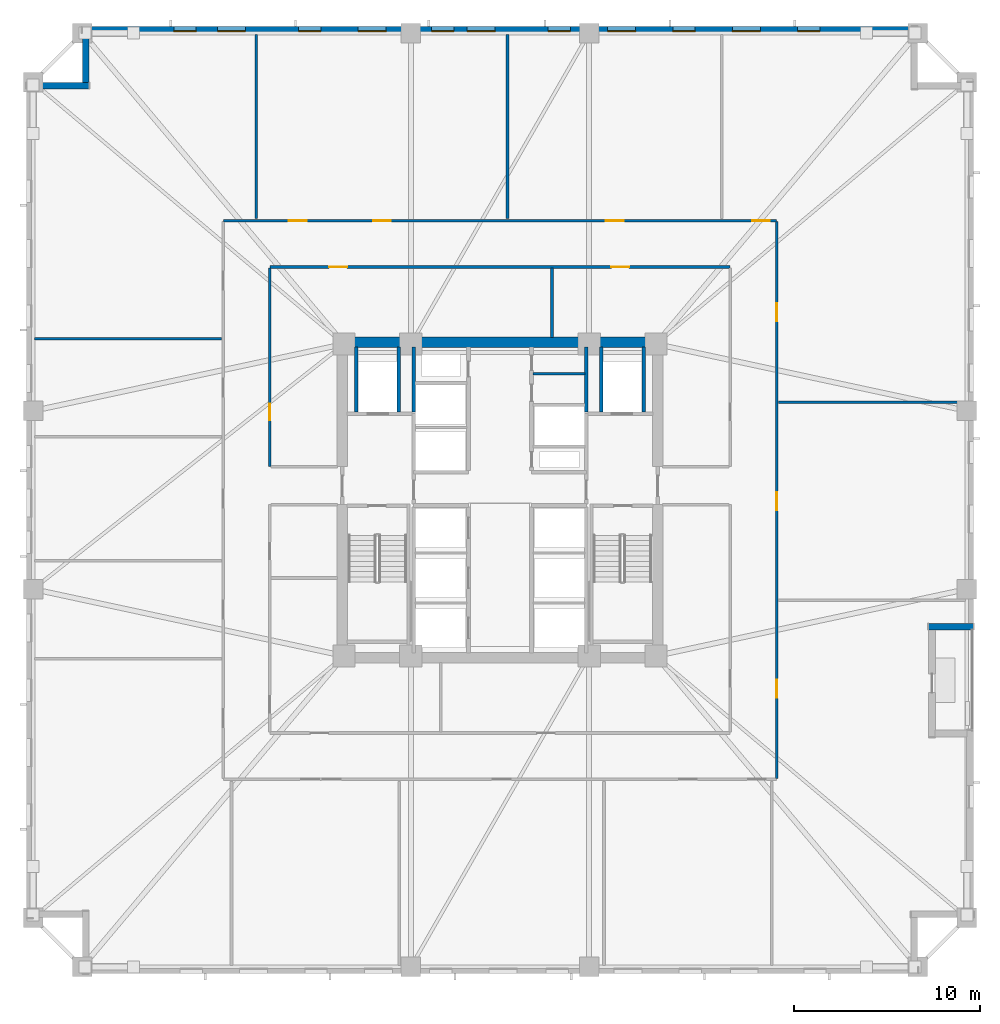
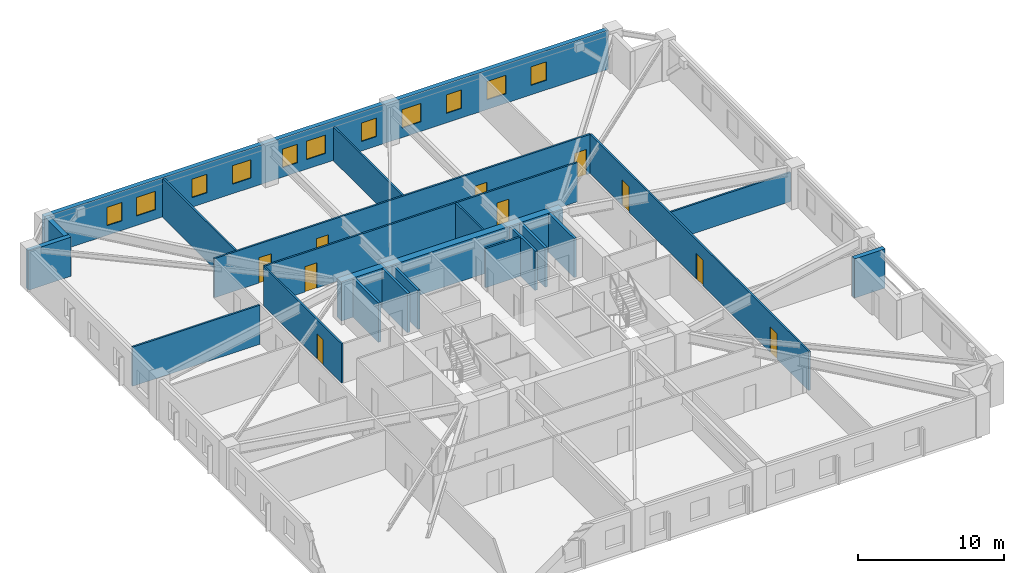
# One storey, part 5 of 11: 21 walls, 11 windows, 10 doors, 21 openings.
"""IFC4 building model written with IfcOpenShell, lengths in metres."""

from ifc_helpers import new_model, si_unit, direction, frame, frame_2d, origin, place, context, subcontext, project, spatial, rectangle, extrude, material, layer, layer_set, type_object, element, fill, save


model = new_model("IFC4")

# Units and contexts
model_context = context("Model", 3, precision=1e-05, world=origin(), true_north=direction((0.0, 1.0)))
body_context = subcontext(model_context, "Body", "Model", "MODEL_VIEW")
ifc_project = project(units=[si_unit("LENGTHUNIT", "METRE"), si_unit("AREAUNIT", "SQUARE_METRE"), si_unit("VOLUMEUNIT", "CUBIC_METRE"), si_unit("PLANEANGLEUNIT", "RADIAN"), si_unit("MASSUNIT", "GRAM", prefix="KILO")], contexts=[model_context])

# Site, building, storey
site_placement = place(None, origin())
site = spatial("IfcSite", under=ifc_project, at=site_placement, CompositionType="ELEMENT")
building_placement = place(site_placement, origin())
building = spatial("IfcBuilding", under=site, at=building_placement, Name="Cairnveth Concourse Tower", CompositionType="ELEMENT")
storey_placement = place(building_placement, frame((0.0, 0.0, 55.0)))
storey = spatial("IfcBuildingStorey", under=building, at=storey_placement, Name="L14", CompositionType="ELEMENT", Elevation=55.0)

# Walls
ifc_material_1 = material(Name="Gypsum Plasterboard Partition", Category="gypsum")
ifc_layer_1 = layer(ifc_material_1, 0.159912109375)
ifc_layer_set_1 = layer_set([ifc_layer_1], Name="Gypsum Plasterboard Partition")
wall_type_1 = type_object("IfcWallType", Name="ACOUSTIC PARTY WALL 180", PredefinedType="PARTITIONING", material=ifc_layer_set_1)
wall_1_placement = place(storey_placement, frame((53.784912109375, 45.800048828125, 0.0), z_axis=(0.0, 0.0, 1.0), x_axis=(1.0, 0.0, 0.0)))
element("IfcWall", 1, at=wall_1_placement, inside=storey, type_object=wall_type_1, Name="Interior Wall IW-L14-037", PredefinedType="PARTITIONING", context=body_context, shape_type="SweptSolid", body=[
    extrude(rectangle(XDim=2.7900390625, YDim=0.159912109375, at=frame_2d((1.39501953125, 0.0))), origin(), (0.0, 0.0, 1.0), 3.280029296875),
])
ifc_material_2 = material(Name="Concrete N80 (80 MPa)", Category="concrete")
ifc_layer_2 = layer(ifc_material_2, 0.550048828125)
ifc_layer_set_2 = layer_set([ifc_layer_2], Name="Concrete N80 (80 MPa)")
wall_type_2 = type_object("IfcWallType", Name="CORE SHEAR WALL 550", PredefinedType="SHEAR", material=ifc_layer_set_2)
wall_2_placement = place(storey_placement, frame((43.22509765625, 47.5, 0.0), z_axis=(0.0, 0.0, 1.0), x_axis=(1.0, 0.0, 0.0)))
element("IfcWall", 2, at=wall_2_placement, inside=storey, type_object=wall_type_2, Name="Core North Shear Wall L14", PredefinedType="SHEAR", context=body_context, shape_type="SweptSolid", body=[
    extrude(rectangle(XDim=17.5498046875, YDim=0.550048828125, at=frame_2d((8.77490234375, 0.0))), origin(), (0.0, 0.0, 1.0), 3.280029296875),
])
ifc_material_3 = material(Name="Concrete N50 (50 MPa)", Category="concrete")
ifc_layer_3 = layer(ifc_material_3, 0.179931640625)
ifc_layer_set_3 = layer_set([ifc_layer_3], Name="Concrete N50 (50 MPa)")
wall_type_3 = type_object("IfcWallType", Name="FIRE SHAFT WALL 180", PredefinedType="SOLIDWALL", material=ifc_layer_set_3)
for number, where, z_axis, x_axis, name in (
    (3, (47.35009765625, 43.735107421875, 0.0), (0.0, 0.0, 1.0), (0.0, 1.0, 0.0), "Interior Wall IW-L14-031"),
    (4, (56.64990234375, 43.735107421875, 0.0), (0.0, 0.0, 1.0), (0.0, 1.0, 0.0), "Interior Wall IW-L14-034"),
):
    element("IfcWall", number, at=place(storey_placement, frame(where, z_axis=z_axis, x_axis=x_axis)), inside=storey, type_object=wall_type_3, Name=name, PredefinedType="SOLIDWALL", context=body_context, shape_type="SweptSolid", body=[
        extrude(rectangle(XDim=3.5048828125, YDim=0.179931640625, at=frame_2d((1.75244140625, 0.0))), origin(), (0.0, 0.0, 1.0), 3.280029296875),
    ])
ifc_layer_4 = layer(ifc_material_3, 0.199951171875)
ifc_layer_set_4 = layer_set([ifc_layer_4], Name="Concrete N50 (50 MPa)")
wall_type_4 = type_object("IfcWallType", Name="FIRE SHAFT WALL 200", PredefinedType="SOLIDWALL", material=ifc_layer_set_4)
for number, where, z_axis, x_axis, name in (
    (5, (46.550048828125, 43.735107421875, 0.0), (0.0, 0.0, 1.0), (0.0, 1.0, 0.0), "Interior Wall IW-L14-018"),
    (6, (44.25, 43.735107421875, 0.0), (0.0, 0.0, 1.0), (0.0, 1.0, 0.0), "Interior Wall IW-L14-019"),
    (7, (57.449951171875, 43.735107421875, 0.0), (0.0, 0.0, 1.0), (0.0, 1.0, 0.0), "Interior Wall IW-L14-023"),
    (8, (59.75, 43.735107421875, 0.0), (0.0, 0.0, 1.0), (0.0, 1.0, 0.0), "Interior Wall IW-L14-024"),
):
    element("IfcWall", number, at=place(storey_placement, frame(where, z_axis=z_axis, x_axis=x_axis)), inside=storey, type_object=wall_type_4, Name=name, PredefinedType="SOLIDWALL", context=body_context, shape_type="SweptSolid", body=[
        extrude(rectangle(XDim=3.5048828125, YDim=0.199951171875, at=frame_2d((1.75244140625, 0.0))), origin(), (0.0, 0.0, 1.0), 3.280029296875),
    ])

# Wall, openings, doors
ifc_layer_5 = layer(ifc_material_1, 0.139892578125)
ifc_layer_set_5 = layer_set([ifc_layer_5], Name="Gypsum Plasterboard Partition")
wall_type_5 = type_object("IfcWallType", Name="GYPSUM STUD PARTITION 140", PredefinedType="PARTITIONING", material=ifc_layer_set_5)
wall_3_placement = place(storey_placement, frame((37.10009765625, 54.050048828125, 0.0), z_axis=(0.0, 0.0, 1.0), x_axis=(1.0, 0.0, 0.0)))
wall_3 = element("IfcWall", 9, at=wall_3_placement, inside=storey, type_object=wall_type_5, Name="Interior Wall IW-L14-039", PredefinedType="PARTITIONING", context=body_context, shape_type="SweptSolid", body=[
    extrude(rectangle(XDim=29.7998046875, YDim=0.139892578125, at=frame_2d((14.89990234375, 0.0))), origin(), (0.0, 0.0, 1.0), 3.280029296875),
])
opening_1_placement = place(wall_3_placement, frame((3.5224609375, 0.0, 0.0)))
opening_1 = element("IfcOpeningElement", 10, at=opening_1_placement, cuts=wall_3, Name="Opening ID11", PredefinedType="OPENING", context=body_context, shape_type="SweptSolid", body=[
    extrude(rectangle(XDim=0.9599609375, YDim=2.1201171875, at=frame_2d((0.47998046875, 1.06005859375))), frame((0.0, 0.079833984375, 0.0), z_axis=(0.0, -1.0, 0.0), x_axis=(1.0, 0.0, 0.0)), (0.0, 0.0, 1.0), 0.159912109375),
])
opening_2_placement = place(wall_3_placement, frame((8.06005859375, 0.0, 0.0)))
opening_2 = element("IfcOpeningElement", 11, at=opening_2_placement, cuts=wall_3, Name="Opening ID11", PredefinedType="OPENING", context=body_context, shape_type="SweptSolid", body=[
    extrude(rectangle(XDim=0.9599609375, YDim=2.1201171875, at=frame_2d((0.47998046875, 1.06005859375))), frame((0.0, 0.079833984375, 0.0), z_axis=(0.0, -1.0, 0.0), x_axis=(1.0, 0.0, 0.0)), (0.0, 0.0, 1.0), 0.159912109375),
])
opening_3_placement = place(wall_3_placement, frame((20.60009765625, 0.0, 0.0)))
opening_3 = element("IfcOpeningElement", 12, at=opening_3_placement, cuts=wall_3, Name="Opening ID11", PredefinedType="OPENING", context=body_context, shape_type="SweptSolid", body=[
    extrude(rectangle(XDim=0.9599609375, YDim=2.1201171875, at=frame_2d((0.47998046875, 1.06005859375))), frame((0.0, 0.079833984375, 0.0), z_axis=(0.0, -1.0, 0.0), x_axis=(1.0, 0.0, 0.0)), (0.0, 0.0, 1.0), 0.159912109375),
])
opening_4_placement = place(wall_3_placement, frame((28.47998046875, 0.0, 0.0)))
opening_4 = element("IfcOpeningElement", 13, at=opening_4_placement, cuts=wall_3, Name="Opening ID11", PredefinedType="OPENING", context=body_context, shape_type="SweptSolid", body=[
    extrude(rectangle(XDim=0.9599609375, YDim=2.1201171875, at=frame_2d((0.47998046875, 1.06005859375))), frame((0.0, 0.079833984375, 0.0), z_axis=(0.0, -1.0, 0.0), x_axis=(1.0, 0.0, 0.0)), (0.0, 0.0, 1.0), 0.159912109375),
])
ifc_material_4 = material(Name="Solid Core Hardwood Timber Leaf", Category="wood")
door_type_1 = type_object("IfcDoorType", Name="INTERIOR SINGLE DOOR 960X2150", OperationType="NOTDEFINED", PredefinedType="DOOR", material=ifc_material_4)
door_1_placement = place(opening_1_placement, origin())
door_1 = element("IfcDoor", 14, at=door_1_placement, inside=storey, type_object=door_type_1, Name="Office Door L14-N1", OperationType="SINGLE_SWING_RIGHT", OverallHeight=2.1201171875, OverallWidth=0.9599609375, PredefinedType="DOOR", context=body_context, shape_type="SweptSolid", body=[
    extrude(rectangle(XDim=0.9599609375, YDim=2.1201171875, at=frame_2d((0.47998046875, 1.06005859375))), frame((0.0, 0.02490234375, 0.0), z_axis=(0.0, -1.0, 0.0), x_axis=(1.0, 0.0, 0.0)), (0.0, 0.0, 1.0), 0.050048828125),
])
fill(opening_1, door_1)
door_2_placement = place(opening_2_placement, origin())
door_2 = element("IfcDoor", 15, at=door_2_placement, inside=storey, type_object=door_type_1, Name="Office Door L14-N2", OperationType="SINGLE_SWING_LEFT", OverallHeight=2.1201171875, OverallWidth=0.9599609375, PredefinedType="DOOR", context=body_context, shape_type="SweptSolid", body=[
    extrude(rectangle(XDim=0.9599609375, YDim=2.1201171875, at=frame_2d((0.47998046875, 1.06005859375))), frame((0.0, 0.02490234375, 0.0), z_axis=(0.0, -1.0, 0.0), x_axis=(1.0, 0.0, 0.0)), (0.0, 0.0, 1.0), 0.050048828125),
])
fill(opening_2, door_2)
door_3_placement = place(opening_3_placement, origin())
door_3 = element("IfcDoor", 16, at=door_3_placement, inside=storey, type_object=door_type_1, Name="Office Door L14-N3", OperationType="SINGLE_SWING_RIGHT", OverallHeight=2.1201171875, OverallWidth=0.9599609375, PredefinedType="DOOR", context=body_context, shape_type="SweptSolid", body=[
    extrude(rectangle(XDim=0.9599609375, YDim=2.1201171875, at=frame_2d((0.47998046875, 1.06005859375))), frame((0.0, 0.02490234375, 0.0), z_axis=(0.0, -1.0, 0.0), x_axis=(1.0, 0.0, 0.0)), (0.0, 0.0, 1.0), 0.050048828125),
])
fill(opening_3, door_3)
door_4_placement = place(opening_4_placement, origin())
door_4 = element("IfcDoor", 17, at=door_4_placement, inside=storey, type_object=door_type_1, Name="Office Door L14-N4", OperationType="SINGLE_SWING_LEFT", OverallHeight=2.1201171875, OverallWidth=0.9599609375, PredefinedType="DOOR", context=body_context, shape_type="SweptSolid", body=[
    extrude(rectangle(XDim=0.9599609375, YDim=2.1201171875, at=frame_2d((0.47998046875, 1.06005859375))), frame((0.0, 0.02490234375, 0.0), z_axis=(0.0, -1.0, 0.0), x_axis=(1.0, 0.0, 0.0)), (0.0, 0.0, 1.0), 0.050048828125),
])
fill(opening_4, door_4)

wall_4_placement = place(storey_placement, frame((66.89990234375, 24.0048828125, 0.0), z_axis=(0.0, 0.0, 1.0), x_axis=(0.0, 1.0, 0.0)))
wall_4 = element("IfcWall", 18, at=wall_4_placement, inside=storey, type_object=wall_type_5, Name="Interior Wall IW-L14-041", PredefinedType="PARTITIONING", context=body_context, shape_type="SweptSolid", body=[
    extrude(rectangle(XDim=29.990234375, YDim=0.139892578125, at=frame_2d((14.9951171875, 0.0))), origin(), (0.0, 0.0, 1.0), 3.280029296875),
])
opening_5_placement = place(wall_4_placement, frame((4.343505859375, 0.0, 0.0)))
opening_5 = element("IfcOpeningElement", 19, at=opening_5_placement, cuts=wall_4, Name="Opening ID11", PredefinedType="OPENING", context=body_context, shape_type="SweptSolid", body=[
    extrude(rectangle(XDim=0.9599609375, YDim=2.1201171875, at=frame_2d((0.47998046875, 1.06005859375))), frame((0.0, 0.079833984375, 0.0), z_axis=(0.0, -1.0, 0.0), x_axis=(1.0, 0.0, 0.0)), (0.0, 0.0, 1.0), 0.159912109375),
])
opening_6_placement = place(wall_4_placement, frame((14.451904296875, 0.0, 0.0)))
opening_6 = element("IfcOpeningElement", 20, at=opening_6_placement, cuts=wall_4, Name="Opening ID11", PredefinedType="OPENING", context=body_context, shape_type="SweptSolid", body=[
    extrude(rectangle(XDim=0.9599609375, YDim=2.1201171875, at=frame_2d((0.47998046875, 1.06005859375))), frame((0.0, 0.079833984375, 0.0), z_axis=(0.0, -1.0, 0.0), x_axis=(1.0, 0.0, 0.0)), (0.0, 0.0, 1.0), 0.159912109375),
])
opening_7_placement = place(wall_4_placement, frame((24.623291015625, 0.0, 0.0)))
opening_7 = element("IfcOpeningElement", 21, at=opening_7_placement, cuts=wall_4, Name="Opening ID11", PredefinedType="OPENING", context=body_context, shape_type="SweptSolid", body=[
    extrude(rectangle(XDim=0.9599609375, YDim=2.1201171875, at=frame_2d((0.47998046875, 1.06005859375))), frame((0.0, 0.079833984375, 0.0), z_axis=(0.0, -1.0, 0.0), x_axis=(1.0, 0.0, 0.0)), (0.0, 0.0, 1.0), 0.159912109375),
])
door_5_placement = place(opening_5_placement, origin())
door_5 = element("IfcDoor", 22, at=door_5_placement, inside=storey, type_object=door_type_1, Name="Office Door L14-E1", OperationType="SINGLE_SWING_LEFT", OverallHeight=2.1201171875, OverallWidth=0.9599609375, PredefinedType="DOOR", context=body_context, shape_type="SweptSolid", body=[
    extrude(rectangle(XDim=0.9599609375, YDim=2.1201171875, at=frame_2d((0.47998046875, 1.06005859375))), frame((0.0, 0.02490234375, 0.0), z_axis=(0.0, -1.0, 0.0), x_axis=(1.0, 0.0, 0.0)), (0.0, 0.0, 1.0), 0.050048828125),
])
fill(opening_5, door_5)
door_6_placement = place(opening_6_placement, origin())
door_6 = element("IfcDoor", 23, at=door_6_placement, inside=storey, type_object=door_type_1, Name="Office Door L14-E2", OperationType="SINGLE_SWING_RIGHT", OverallHeight=2.1201171875, OverallWidth=0.9599609375, PredefinedType="DOOR", context=body_context, shape_type="SweptSolid", body=[
    extrude(rectangle(XDim=0.9599609375, YDim=2.1201171875, at=frame_2d((0.47998046875, 1.06005859375))), frame((0.0, 0.02490234375, 0.0), z_axis=(0.0, -1.0, 0.0), x_axis=(1.0, 0.0, 0.0)), (0.0, 0.0, 1.0), 0.050048828125),
])
fill(opening_6, door_6)
door_7_placement = place(opening_7_placement, origin())
door_7 = element("IfcDoor", 24, at=door_7_placement, inside=storey, type_object=door_type_1, Name="Office Door L14-E3", OperationType="SINGLE_SWING_LEFT", OverallHeight=2.1201171875, OverallWidth=0.9599609375, PredefinedType="DOOR", context=body_context, shape_type="SweptSolid", body=[
    extrude(rectangle(XDim=0.9599609375, YDim=2.1201171875, at=frame_2d((0.47998046875, 1.06005859375))), frame((0.0, 0.02490234375, 0.0), z_axis=(0.0, -1.0, 0.0), x_axis=(1.0, 0.0, 0.0)), (0.0, 0.0, 1.0), 0.050048828125),
])
fill(opening_7, door_7)

wall_5_placement = place(storey_placement, frame((39.60009765625, 51.550048828125, 0.0), z_axis=(0.0, 0.0, 1.0), x_axis=(1.0, 0.0, 0.0)))
wall_5 = element("IfcWall", 25, at=wall_5_placement, inside=storey, type_object=wall_type_5, Name="Interior Wall IW-L14-043", PredefinedType="PARTITIONING", context=body_context, shape_type="SweptSolid", body=[
    extrude(rectangle(XDim=24.7998046875, YDim=0.139892578125, at=frame_2d((12.39990234375, 0.0))), origin(), (0.0, 0.0, 1.0), 3.280029296875),
])
opening_8_placement = place(wall_5_placement, frame((3.199951171875, 0.0, 0.0)))
opening_8 = element("IfcOpeningElement", 26, at=opening_8_placement, cuts=wall_5, Name="Opening ID11", PredefinedType="OPENING", context=body_context, shape_type="SweptSolid", body=[
    extrude(rectangle(XDim=0.9599609375, YDim=2.1201171875, at=frame_2d((0.47998046875, 1.06005859375))), frame((0.0, 0.079833984375, 0.0), z_axis=(0.0, -1.0, 0.0), x_axis=(1.0, 0.0, 0.0)), (0.0, 0.0, 1.0), 0.159912109375),
])
opening_9_placement = place(wall_5_placement, frame((18.39990234375, 0.0, 0.0)))
opening_9 = element("IfcOpeningElement", 27, at=opening_9_placement, cuts=wall_5, Name="Opening ID11", PredefinedType="OPENING", context=body_context, shape_type="SweptSolid", body=[
    extrude(rectangle(XDim=0.9599609375, YDim=2.1201171875, at=frame_2d((0.47998046875, 1.06005859375))), frame((0.0, 0.079833984375, 0.0), z_axis=(0.0, -1.0, 0.0), x_axis=(1.0, 0.0, 0.0)), (0.0, 0.0, 1.0), 0.159912109375),
])
door_8_placement = place(opening_8_placement, origin())
door_8 = element("IfcDoor", 28, at=door_8_placement, inside=storey, type_object=door_type_1, Name="Interior Door DR-L14-016", OperationType="SINGLE_SWING_RIGHT", OverallHeight=2.1201171875, OverallWidth=0.9599609375, PredefinedType="DOOR", context=body_context, shape_type="SweptSolid", body=[
    extrude(rectangle(XDim=0.9599609375, YDim=2.1201171875, at=frame_2d((0.47998046875, 1.06005859375))), frame((0.0, 0.02490234375, 0.0), z_axis=(0.0, -1.0, 0.0), x_axis=(1.0, 0.0, 0.0)), (0.0, 0.0, 1.0), 0.050048828125),
])
fill(opening_8, door_8)
door_9_placement = place(opening_9_placement, origin())
door_9 = element("IfcDoor", 29, at=door_9_placement, inside=storey, type_object=door_type_1, Name="Interior Door DR-L14-017", OperationType="SINGLE_SWING_LEFT", OverallHeight=2.1201171875, OverallWidth=0.9599609375, PredefinedType="DOOR", context=body_context, shape_type="SweptSolid", body=[
    extrude(rectangle(XDim=0.9599609375, YDim=2.1201171875, at=frame_2d((0.47998046875, 1.06005859375))), frame((0.0, 0.02490234375, 0.0), z_axis=(0.0, -1.0, 0.0), x_axis=(1.0, 0.0, 0.0)), (0.0, 0.0, 1.0), 0.050048828125),
])
fill(opening_9, door_9)

# Wall, opening, door
wall_6_placement = place(storey_placement, frame((39.60009765625, 40.800048828125, 0.0), z_axis=(0.0, 0.0, 1.0), x_axis=(0.0, 1.0, 0.0)))
wall_6 = element("IfcWall", 30, at=wall_6_placement, inside=storey, type_object=wall_type_5, Name="Interior Wall IW-L14-045", PredefinedType="PARTITIONING", context=body_context, shape_type="SweptSolid", body=[
    extrude(rectangle(XDim=10.695068359375, YDim=0.139892578125, at=frame_2d((5.34765625, 0.0))), origin(), (0.0, 0.0, 1.0), 3.280029296875),
])
opening_10_placement = place(wall_6_placement, frame((2.5, 0.0, 0.0)))
opening_10 = element("IfcOpeningElement", 31, at=opening_10_placement, cuts=wall_6, Name="Opening ID18", PredefinedType="OPENING", context=body_context, shape_type="SweptSolid", body=[
    extrude(rectangle(XDim=0.8798828125, YDim=2.10009765625, at=frame_2d((0.43994140625, 1.050048828125))), frame((0.0, 0.079833984375, 0.0), z_axis=(0.0, -1.0, 0.0), x_axis=(1.0, 0.0, 0.0)), (0.0, 0.0, 1.0), 0.159912109375),
])
door_type_2 = type_object("IfcDoorType", Name="INTERIOR SINGLE DOOR 880X2100", OperationType="NOTDEFINED", PredefinedType="DOOR", material=ifc_material_4)
door_10_placement = place(opening_10_placement, origin())
door_10 = element("IfcDoor", 32, at=door_10_placement, inside=storey, type_object=door_type_2, Name="Interior Door DR-L14-020", OperationType="SINGLE_SWING_RIGHT", OverallHeight=2.10009765625, OverallWidth=0.8798828125, PredefinedType="DOOR", context=body_context, shape_type="SweptSolid", body=[
    extrude(rectangle(XDim=0.8798828125, YDim=2.10009765625, at=frame_2d((0.43994140625, 1.050048828125))), frame((0.0, 0.02490234375, 0.0), z_axis=(0.0, -1.0, 0.0), x_axis=(1.0, 0.0, 0.0)), (0.0, 0.0, 1.0), 0.050048828125),
])
fill(opening_10, door_10)

# Walls
wall_7_placement = place(storey_placement, frame((54.800048828125, 47.760009765625, 0.0), z_axis=(0.0, 0.0, 1.0), x_axis=(0.0, 1.0, 0.0)))
element("IfcWall", 33, at=wall_7_placement, inside=storey, type_object=wall_type_5, Name="Interior Wall IW-L14-053", PredefinedType="PARTITIONING", context=body_context, shape_type="SweptSolid", body=[
    extrude(rectangle(XDim=3.735107421875, YDim=0.139892578125, at=frame_2d((1.86767578125, 0.0))), origin(), (0.0, 0.0, 1.0), 3.280029296875),
])
wall_8_placement = place(storey_placement, frame((38.875, 54.14990234375, 0.0), z_axis=(0.0, 0.0, 1.0), x_axis=(0.0, 1.0, 0.0)))
element("IfcWall", 34, at=wall_8_placement, inside=storey, type_object=wall_type_5, Name="Interior Wall IW-L14-059", PredefinedType="PARTITIONING", context=body_context, shape_type="SweptSolid", body=[
    extrude(rectangle(XDim=9.93017578125, YDim=0.139892578125, at=frame_2d((4.965087890625, 0.0))), origin(), (0.0, 0.0, 1.0), 3.280029296875),
])
wall_9_placement = place(storey_placement, frame((52.405029296875, 54.14990234375, 0.0), z_axis=(0.0, 0.0, 1.0), x_axis=(0.0, 1.0, 0.0)))
element("IfcWall", 35, at=wall_9_placement, inside=storey, type_object=wall_type_5, Name="Interior Wall IW-L14-060", PredefinedType="PARTITIONING", context=body_context, shape_type="SweptSolid", body=[
    extrude(rectangle(XDim=9.93017578125, YDim=0.139892578125, at=frame_2d((4.965087890625, 0.0))), origin(), (0.0, 0.0, 1.0), 2.84912109375),
])
wall_10_placement = place(storey_placement, frame((26.919921875, 47.6865234375, 0.0), z_axis=(0.0, 0.0, 1.0), x_axis=(1.0, 0.0, 0.0)))
element("IfcWall", 36, at=wall_10_placement, inside=storey, type_object=wall_type_5, Name="Interior Wall IW-L14-065", PredefinedType="PARTITIONING", context=body_context, shape_type="SweptSolid", body=[
    extrude(rectangle(XDim=10.080078125, YDim=0.139892578125, at=frame_2d((5.0400390625, 0.0))), origin(), (0.0, 0.0, 1.0), 3.280029296875),
])
wall_11_placement = place(storey_placement, frame((67.0, 44.266845703125, 0.0), z_axis=(0.0, 0.0, 1.0), x_axis=(1.0, 0.0, 0.0)))
element("IfcWall", 37, at=wall_11_placement, inside=storey, type_object=wall_type_5, Name="Interior Wall IW-L14-067", PredefinedType="PARTITIONING", context=body_context, shape_type="SweptSolid", body=[
    extrude(rectangle(XDim=10.080078125, YDim=0.139892578125, at=frame_2d((5.0400390625, 0.0))), origin(), (0.0, 0.0, 1.0), 2.43896484375),
])
ifc_material_5 = material(Name="Hawthorn Red-Ochre Fired Clay Brick Masonry", Category="masonry")
ifc_layer_6 = layer(ifc_material_5, 0.360107421875)
ifc_layer_set_6 = layer_set([ifc_layer_6], Name="Hawthorn Red-Ochre Fired Clay Brick Masonry")
wall_type_6 = type_object("IfcWallType", Name="ZONE 1 BRICK PIER SPANDREL WALL 360", PredefinedType="SOLIDWALL", material=ifc_layer_set_6)
wall_12_placement = place(storey_placement, frame((26.5, 61.320068359375, 0.0), z_axis=(0.0, 0.0, 1.0), x_axis=(1.0, 0.0, 0.0)))
element("IfcWall", 38, at=wall_12_placement, inside=storey, type_object=wall_type_6, Name="Exterior Wall EW-L14-S07", PredefinedType="SOLIDWALL", context=body_context, shape_type="SweptSolid", body=[
    extrude(rectangle(XDim=3.360107421875, YDim=0.360107421875, at=frame_2d((1.68017578125, 0.0))), origin(), (0.0, 0.0, 1.0), 3.280029296875),
])
wall_13_placement = place(storey_placement, frame((29.679931640625, 61.47802734375, 0.0), z_axis=(0.0, 0.0, 1.0), x_axis=(0.0, 1.0, 0.0)))
element("IfcWall", 39, at=wall_13_placement, inside=storey, type_object=wall_type_6, Name="Exterior Wall EW-L14-S08", PredefinedType="SOLIDWALL", context=body_context, shape_type="SweptSolid", body=[
    extrude(rectangle(XDim=2.68408203125, YDim=0.360107421875, at=frame_2d((1.342041015625, 0.0))), origin(), (0.0, 0.0, 1.0), 3.280029296875),
])

# Wall, openings, windows
wall_14_placement = place(storey_placement, frame((29.5, 64.320068359375, 0.0), z_axis=(0.0, 0.0, 1.0), x_axis=(1.0, 0.0, 0.0)))
wall_14 = element("IfcWall", 40, at=wall_14_placement, inside=storey, type_object=wall_type_6, Name="Exterior Wall EW-L14-S09", PredefinedType="SOLIDWALL", context=body_context, shape_type="SweptSolid", body=[
    extrude(rectangle(XDim=44.662109375, YDim=0.360107421875, at=frame_2d((22.3310546875, 0.0))), origin(), (0.0, 0.0, 1.0), 3.280029296875),
])
opening_11_placement = place(wall_14_placement, frame((4.93017578125, 0.0, 0.800048828125)))
opening_11 = element("IfcOpeningElement", 41, at=opening_11_placement, cuts=wall_14, Name="Opening W01", PredefinedType="OPENING", context=body_context, shape_type="SweptSolid", body=[
    extrude(rectangle(XDim=1.199951171875, YDim=1.5439453125, at=frame_2d((0.60009765625, 0.77197265625))), frame((0.0, 0.18994140625, 0.0), z_axis=(0.0, -1.0, 0.0), x_axis=(1.0, 0.0, 0.0)), (0.0, 0.0, 1.0), 0.380126953125),
])
opening_12_placement = place(wall_14_placement, frame((7.290283203125, 0.0, 0.800048828125)))
opening_12 = element("IfcOpeningElement", 42, at=opening_12_placement, cuts=wall_14, Name="Opening W03", PredefinedType="OPENING", context=body_context, shape_type="SweptSolid", body=[
    extrude(rectangle(XDim=1.5, YDim=1.5439453125, at=frame_2d((0.75, 0.77197265625))), frame((0.0, 0.18994140625, 0.0), z_axis=(0.0, -1.0, 0.0), x_axis=(1.0, 0.0, 0.0)), (0.0, 0.0, 1.0), 0.380126953125),
])
opening_13_placement = place(wall_14_placement, frame((11.650390625, 0.0, 0.800048828125)))
opening_13 = element("IfcOpeningElement", 43, at=opening_13_placement, cuts=wall_14, Name="Opening W01", PredefinedType="OPENING", context=body_context, shape_type="SweptSolid", body=[
    extrude(rectangle(XDim=1.199951171875, YDim=1.5439453125, at=frame_2d((0.60009765625, 0.77197265625))), frame((0.0, 0.18994140625, 0.0), z_axis=(0.0, -1.0, 0.0), x_axis=(1.0, 0.0, 0.0)), (0.0, 0.0, 1.0), 0.380126953125),
])
opening_14_placement = place(wall_14_placement, frame((14.860595703125, 0.0, 0.800048828125)))
opening_14 = element("IfcOpeningElement", 44, at=opening_14_placement, cuts=wall_14, Name="Opening W03", PredefinedType="OPENING", context=body_context, shape_type="SweptSolid", body=[
    extrude(rectangle(XDim=1.5, YDim=1.5439453125, at=frame_2d((0.75, 0.77197265625))), frame((0.0, 0.18994140625, 0.0), z_axis=(0.0, -1.0, 0.0), x_axis=(1.0, 0.0, 0.0)), (0.0, 0.0, 1.0), 0.380126953125),
])
opening_15_placement = place(wall_14_placement, frame((18.82080078125, 0.0, 0.800048828125)))
opening_15 = element("IfcOpeningElement", 45, at=opening_15_placement, cuts=wall_14, Name="Opening W01", PredefinedType="OPENING", context=body_context, shape_type="SweptSolid", body=[
    extrude(rectangle(XDim=1.199951171875, YDim=1.5439453125, at=frame_2d((0.60009765625, 0.77197265625))), frame((0.0, 0.18994140625, 0.0), z_axis=(0.0, -1.0, 0.0), x_axis=(1.0, 0.0, 0.0)), (0.0, 0.0, 1.0), 0.380126953125),
])
opening_16_placement = place(wall_14_placement, frame((20.73095703125, 0.0, 0.800048828125)))
opening_16 = element("IfcOpeningElement", 46, at=opening_16_placement, cuts=wall_14, Name="Opening W03", PredefinedType="OPENING", context=body_context, shape_type="SweptSolid", body=[
    extrude(rectangle(XDim=1.5, YDim=1.5439453125, at=frame_2d((0.75, 0.77197265625))), frame((0.0, 0.18994140625, 0.0), z_axis=(0.0, -1.0, 0.0), x_axis=(1.0, 0.0, 0.0)), (0.0, 0.0, 1.0), 0.380126953125),
])
opening_17_placement = place(wall_14_placement, frame((25.09130859375, 0.0, 0.800048828125)))
opening_17 = element("IfcOpeningElement", 47, at=opening_17_placement, cuts=wall_14, Name="Opening W01", PredefinedType="OPENING", context=body_context, shape_type="SweptSolid", body=[
    extrude(rectangle(XDim=1.199951171875, YDim=1.5439453125, at=frame_2d((0.60009765625, 0.77197265625))), frame((0.0, 0.18994140625, 0.0), z_axis=(0.0, -1.0, 0.0), x_axis=(1.0, 0.0, 0.0)), (0.0, 0.0, 1.0), 0.380126953125),
])
opening_18_placement = place(wall_14_placement, frame((28.301513671875, 0.0, 0.800048828125)))
opening_18 = element("IfcOpeningElement", 48, at=opening_18_placement, cuts=wall_14, Name="Opening W03", PredefinedType="OPENING", context=body_context, shape_type="SweptSolid", body=[
    extrude(rectangle(XDim=1.5, YDim=1.5439453125, at=frame_2d((0.75, 0.77197265625))), frame((0.0, 0.18994140625, 0.0), z_axis=(0.0, -1.0, 0.0), x_axis=(1.0, 0.0, 0.0)), (0.0, 0.0, 1.0), 0.380126953125),
])
opening_19_placement = place(wall_14_placement, frame((31.8115234375, 0.0, 0.800048828125)))
opening_19 = element("IfcOpeningElement", 49, at=opening_19_placement, cuts=wall_14, Name="Opening W01", PredefinedType="OPENING", context=body_context, shape_type="SweptSolid", body=[
    extrude(rectangle(XDim=1.199951171875, YDim=1.5439453125, at=frame_2d((0.60009765625, 0.77197265625))), frame((0.0, 0.18994140625, 0.0), z_axis=(0.0, -1.0, 0.0), x_axis=(1.0, 0.0, 0.0)), (0.0, 0.0, 1.0), 0.380126953125),
])
opening_20_placement = place(wall_14_placement, frame((35.021728515625, 0.0, 0.800048828125)))
opening_20 = element("IfcOpeningElement", 50, at=opening_20_placement, cuts=wall_14, Name="Opening W03", PredefinedType="OPENING", context=body_context, shape_type="SweptSolid", body=[
    extrude(rectangle(XDim=1.5, YDim=1.5439453125, at=frame_2d((0.75, 0.77197265625))), frame((0.0, 0.18994140625, 0.0), z_axis=(0.0, -1.0, 0.0), x_axis=(1.0, 0.0, 0.0)), (0.0, 0.0, 1.0), 0.380126953125),
])
opening_21_placement = place(wall_14_placement, frame((38.531982421875, 0.0, 0.800048828125)))
opening_21 = element("IfcOpeningElement", 51, at=opening_21_placement, cuts=wall_14, Name="Opening W01", PredefinedType="OPENING", context=body_context, shape_type="SweptSolid", body=[
    extrude(rectangle(XDim=1.199951171875, YDim=1.5439453125, at=frame_2d((0.60009765625, 0.77197265625))), frame((0.0, 0.18994140625, 0.0), z_axis=(0.0, -1.0, 0.0), x_axis=(1.0, 0.0, 0.0)), (0.0, 0.0, 1.0), 0.380126953125),
])
ifc_material_6 = material(Name="Double Glazed Low-E Clear Glass", Category="glass")
window_type_1 = type_object("IfcWindowType", Name="DEEP-SET GOTHIC LANCET WINDOW 1200X1800", PartitioningType="DOUBLE_PANEL_VERTICAL", PredefinedType="WINDOW", material=ifc_material_6)
window_1_placement = place(opening_11_placement, origin())
window_1 = element("IfcWindow", 52, at=window_1_placement, inside=storey, type_object=window_type_1, Name="Gothic Lancet Window L14-9-1", OverallHeight=1.5439453125, OverallWidth=1.199951171875, PartitioningType="SINGLE_PANEL", PredefinedType="WINDOW", context=body_context, shape_type="SweptSolid", body=[
    extrude(rectangle(XDim=1.199951171875, YDim=1.5439453125, at=frame_2d((0.60009765625, 0.77197265625))), frame((0.0, -0.050048828125, 0.0), z_axis=(0.0, -1.0, 0.0), x_axis=(1.0, 0.0, 0.0)), (0.0, 0.0, 1.0), 0.06005859375),
])
fill(opening_11, window_1)
window_2_placement = place(opening_13_placement, origin())
window_2 = element("IfcWindow", 53, at=window_2_placement, inside=storey, type_object=window_type_1, Name="Gothic Lancet Window L14-9-3", OverallHeight=1.5439453125, OverallWidth=1.199951171875, PartitioningType="SINGLE_PANEL", PredefinedType="WINDOW", context=body_context, shape_type="SweptSolid", body=[
    extrude(rectangle(XDim=1.199951171875, YDim=1.5439453125, at=frame_2d((0.60009765625, 0.77197265625))), frame((0.0, -0.050048828125, 0.0), z_axis=(0.0, -1.0, 0.0), x_axis=(1.0, 0.0, 0.0)), (0.0, 0.0, 1.0), 0.06005859375),
])
fill(opening_13, window_2)
window_3_placement = place(opening_15_placement, origin())
window_3 = element("IfcWindow", 54, at=window_3_placement, inside=storey, type_object=window_type_1, Name="Gothic Lancet Window L14-9-5", OverallHeight=1.5439453125, OverallWidth=1.199951171875, PartitioningType="SINGLE_PANEL", PredefinedType="WINDOW", context=body_context, shape_type="SweptSolid", body=[
    extrude(rectangle(XDim=1.199951171875, YDim=1.5439453125, at=frame_2d((0.60009765625, 0.77197265625))), frame((0.0, -0.050048828125, 0.0), z_axis=(0.0, -1.0, 0.0), x_axis=(1.0, 0.0, 0.0)), (0.0, 0.0, 1.0), 0.06005859375),
])
fill(opening_15, window_3)
window_4_placement = place(opening_17_placement, origin())
window_4 = element("IfcWindow", 55, at=window_4_placement, inside=storey, type_object=window_type_1, Name="Gothic Lancet Window L14-9-7", OverallHeight=1.5439453125, OverallWidth=1.199951171875, PartitioningType="SINGLE_PANEL", PredefinedType="WINDOW", context=body_context, shape_type="SweptSolid", body=[
    extrude(rectangle(XDim=1.199951171875, YDim=1.5439453125, at=frame_2d((0.60009765625, 0.77197265625))), frame((0.0, -0.050048828125, 0.0), z_axis=(0.0, -1.0, 0.0), x_axis=(1.0, 0.0, 0.0)), (0.0, 0.0, 1.0), 0.06005859375),
])
fill(opening_17, window_4)
window_5_placement = place(opening_19_placement, origin())
window_5 = element("IfcWindow", 56, at=window_5_placement, inside=storey, type_object=window_type_1, Name="Gothic Lancet Window L14-9-9", OverallHeight=1.5439453125, OverallWidth=1.199951171875, PartitioningType="SINGLE_PANEL", PredefinedType="WINDOW", context=body_context, shape_type="SweptSolid", body=[
    extrude(rectangle(XDim=1.199951171875, YDim=1.5439453125, at=frame_2d((0.60009765625, 0.77197265625))), frame((0.0, -0.050048828125, 0.0), z_axis=(0.0, -1.0, 0.0), x_axis=(1.0, 0.0, 0.0)), (0.0, 0.0, 1.0), 0.06005859375),
])
fill(opening_19, window_5)
window_6_placement = place(opening_21_placement, origin())
window_6 = element("IfcWindow", 57, at=window_6_placement, inside=storey, type_object=window_type_1, Name="Gothic Lancet Window L14-9-11", OverallHeight=1.5439453125, OverallWidth=1.199951171875, PartitioningType="SINGLE_PANEL", PredefinedType="WINDOW", context=body_context, shape_type="SweptSolid", body=[
    extrude(rectangle(XDim=1.199951171875, YDim=1.5439453125, at=frame_2d((0.60009765625, 0.77197265625))), frame((0.0, -0.050048828125, 0.0), z_axis=(0.0, -1.0, 0.0), x_axis=(1.0, 0.0, 0.0)), (0.0, 0.0, 1.0), 0.06005859375),
])
fill(opening_21, window_6)
window_type_2 = type_object("IfcWindowType", Name="DEEP-SET GOTHIC LANCET WINDOW 1500X1800", PartitioningType="DOUBLE_PANEL_VERTICAL", PredefinedType="WINDOW", material=ifc_material_6)
window_7_placement = place(opening_12_placement, origin())
window_7 = element("IfcWindow", 58, at=window_7_placement, inside=storey, type_object=window_type_2, Name="Gothic Lancet Window L14-9-2", OverallHeight=1.5439453125, OverallWidth=1.5, PartitioningType="SINGLE_PANEL", PredefinedType="WINDOW", context=body_context, shape_type="SweptSolid", body=[
    extrude(rectangle(XDim=1.5, YDim=1.5439453125, at=frame_2d((0.75, 0.77197265625))), frame((0.0, -0.050048828125, 0.0), z_axis=(0.0, -1.0, 0.0), x_axis=(1.0, 0.0, 0.0)), (0.0, 0.0, 1.0), 0.06005859375),
])
fill(opening_12, window_7)
window_8_placement = place(opening_14_placement, origin())
window_8 = element("IfcWindow", 59, at=window_8_placement, inside=storey, type_object=window_type_2, Name="Gothic Lancet Window L14-9-4", OverallHeight=1.5439453125, OverallWidth=1.5, PartitioningType="SINGLE_PANEL", PredefinedType="WINDOW", context=body_context, shape_type="SweptSolid", body=[
    extrude(rectangle(XDim=1.5, YDim=1.5439453125, at=frame_2d((0.75, 0.77197265625))), frame((0.0, -0.050048828125, 0.0), z_axis=(0.0, -1.0, 0.0), x_axis=(1.0, 0.0, 0.0)), (0.0, 0.0, 1.0), 0.06005859375),
])
fill(opening_14, window_8)
window_9_placement = place(opening_16_placement, origin())
window_9 = element("IfcWindow", 60, at=window_9_placement, inside=storey, type_object=window_type_2, Name="Gothic Lancet Window L14-9-6", OverallHeight=1.5439453125, OverallWidth=1.5, PartitioningType="SINGLE_PANEL", PredefinedType="WINDOW", context=body_context, shape_type="SweptSolid", body=[
    extrude(rectangle(XDim=1.5, YDim=1.5439453125, at=frame_2d((0.75, 0.77197265625))), frame((0.0, -0.050048828125, 0.0), z_axis=(0.0, -1.0, 0.0), x_axis=(1.0, 0.0, 0.0)), (0.0, 0.0, 1.0), 0.06005859375),
])
fill(opening_16, window_9)
window_10_placement = place(opening_18_placement, origin())
window_10 = element("IfcWindow", 61, at=window_10_placement, inside=storey, type_object=window_type_2, Name="Gothic Lancet Window L14-9-8", OverallHeight=1.5439453125, OverallWidth=1.5, PartitioningType="SINGLE_PANEL", PredefinedType="WINDOW", context=body_context, shape_type="SweptSolid", body=[
    extrude(rectangle(XDim=1.5, YDim=1.5439453125, at=frame_2d((0.75, 0.77197265625))), frame((0.0, -0.050048828125, 0.0), z_axis=(0.0, -1.0, 0.0), x_axis=(1.0, 0.0, 0.0)), (0.0, 0.0, 1.0), 0.06005859375),
])
fill(opening_18, window_10)
window_11_placement = place(opening_20_placement, origin())
window_11 = element("IfcWindow", 62, at=window_11_placement, inside=storey, type_object=window_type_2, Name="Gothic Lancet Window L14-9-10", OverallHeight=1.5439453125, OverallWidth=1.5, PartitioningType="SINGLE_PANEL", PredefinedType="WINDOW", context=body_context, shape_type="SweptSolid", body=[
    extrude(rectangle(XDim=1.5, YDim=1.5439453125, at=frame_2d((0.75, 0.77197265625))), frame((0.0, -0.050048828125, 0.0), z_axis=(0.0, -1.0, 0.0), x_axis=(1.0, 0.0, 0.0)), (0.0, 0.0, 1.0), 0.06005859375),
])
fill(opening_20, window_11)

# Wall
wall_15_placement = place(storey_placement, frame((77.5, 32.179931640625, 0.0), z_axis=(0.0, 0.0, 1.0), x_axis=(-1.0, 0.0, 0.0)))
element("IfcWall", 63, at=wall_15_placement, inside=storey, type_object=wall_type_6, Name="Exterior Wall EW-L14-S13", PredefinedType="SOLIDWALL", context=body_context, shape_type="SweptSolid", body=[
    extrude(rectangle(XDim=2.409912109375, YDim=0.360107421875, at=frame_2d((1.205078125, 0.0))), origin(), (0.0, 0.0, 1.0), 3.280029296875),
])

save(model, "model.ifc")
